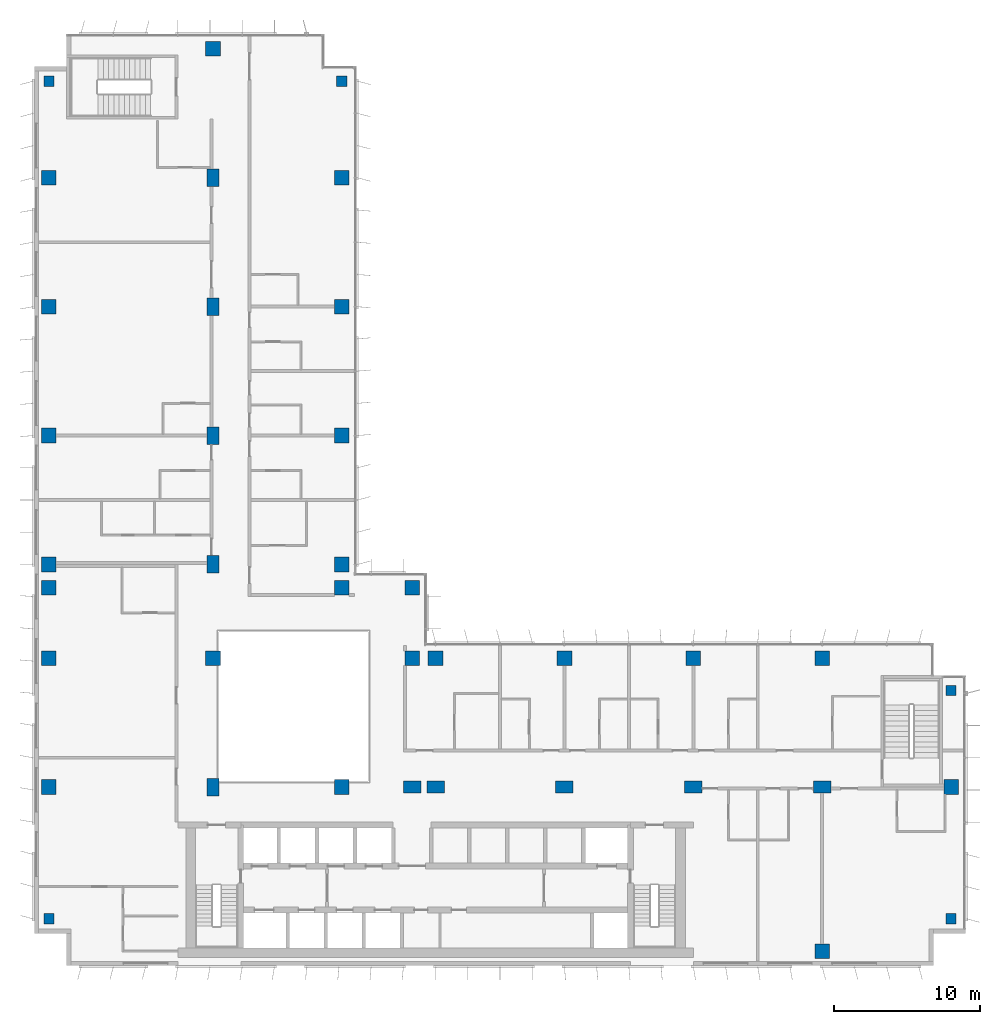
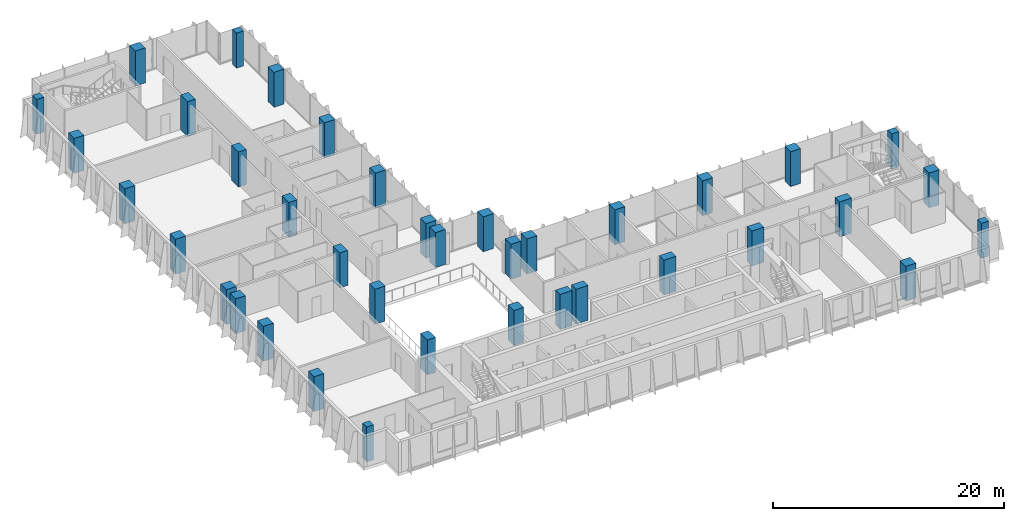
# One storey, part 1 of 21: 38 columns.
"""IFC4 building model written with IfcOpenShell, lengths in metres."""

from ifc_helpers import new_model, si_unit, direction, frame, origin, origin_2d, place, context, subcontext, project, spatial, rectangle, extrude, material, material_profile, profile_set, type_object, element, save


model = new_model("IFC4")

# Units and contexts
model_context = context("Model", 3, precision=1e-05, world=origin(), true_north=direction((0.0, 1.0)))
body_context = subcontext(model_context, "Body", "Model", "MODEL_VIEW")
ifc_project = project(units=[si_unit("LENGTHUNIT", "METRE"), si_unit("AREAUNIT", "SQUARE_METRE"), si_unit("VOLUMEUNIT", "CUBIC_METRE"), si_unit("PLANEANGLEUNIT", "RADIAN"), si_unit("MASSUNIT", "GRAM", prefix="KILO")], contexts=[model_context])

# Site, building, storey
site_placement = place(None, origin())
site = spatial("IfcSite", under=ifc_project, at=site_placement, CompositionType="ELEMENT")
building_placement = place(site_placement, origin())
building = spatial("IfcBuilding", under=site, at=building_placement, Name="Kemantara Hotel Tower", CompositionType="ELEMENT")
storey_placement = place(building_placement, frame((0.0, 0.0, 198.800048828125)))
storey = spatial("IfcBuildingStorey", under=building, at=storey_placement, Name="L49", CompositionType="ELEMENT", Elevation=198.800048828125)

# Columns
ifc_material = material(Name="Concrete fc 60 MPa", Category="concrete")
ifc_material_profile_1 = material_profile(ifc_material, rectangle(XDim=1.0, YDim=1.0, at=origin_2d()), Name="RC 1000X1000")
ifc_profile_set_1 = profile_set([ifc_material_profile_1], Name="Concrete fc 60 MPa")
column_type_1 = type_object("IfcColumnType", Name="RC COLUMN 1000X1000 FC60", PredefinedType="COLUMN", material=ifc_profile_set_1)
for number, where, z_axis, x_axis, name in (
    (1, (1.0, 12.199951171875, 0.0), (0.0, 0.0, 1.0), (1.0, 0.0, 0.0), "COLUMN 1/BA L49"),
    (2, (1.0, 21.0, 0.0), (0.0, 0.0, 1.0), (1.0, 0.0, 0.0), "COLUMN 1/C L49"),
    (3, (1.0, 25.800048828125, 0.0), (0.0, 0.0, 1.0), (1.0, 0.0, 0.0), "COLUMN 1/CA L49"),
    (4, (1.0, 27.39990234375, 0.0), (0.0, 0.0, 1.0), (1.0, 0.0, 0.0), "COLUMN 1/D L49"),
    (5, (1.0, 36.199951171875, 0.0), (0.0, 0.0, 1.0), (1.0, 0.0, 0.0), "COLUMN 1/E L49"),
    (6, (1.0, 45.0, 0.0), (0.0, 0.0, 1.0), (1.0, 0.0, 0.0), "COLUMN 1/F L49"),
    (7, (1.0, 53.800048828125, 0.0), (0.0, 0.0, 1.0), (1.0, 0.0, 0.0), "COLUMN 1/G L49"),
    (8, (12.199951171875, 21.0, 0.0), (0.0, 0.0, 1.0), (1.0, 0.0, 0.0), "COLUMN 2A/C L49"),
    (9, (12.199951171875, 62.60009765625, 0.0), (0.0, 0.0, 1.0), (1.0, 0.0, 0.0), "COLUMN 2A/H L49"),
    (10, (21.0, 12.199951171875, 0.0), (0.0, 0.0, 1.0), (1.0, 0.0, 0.0), "COLUMN 3/BA L49"),
    (11, (21.0, 25.800048828125, 0.0), (0.0, 0.0, 1.0), (1.0, 0.0, 0.0), "COLUMN 3/CA L49"),
    (12, (21.0, 27.39990234375, 0.0), (0.0, 0.0, 1.0), (1.0, 0.0, 0.0), "COLUMN 3/D L49"),
    (13, (21.0, 36.199951171875, 0.0), (0.0, 0.0, 1.0), (1.0, 0.0, 0.0), "COLUMN 3/E L49"),
    (14, (21.0, 45.0, 0.0), (0.0, 0.0, 1.0), (1.0, 0.0, 0.0), "COLUMN 3/F L49"),
    (15, (21.0, 53.800048828125, 0.0), (0.0, 0.0, 1.0), (1.0, 0.0, 0.0), "COLUMN 3/G L49"),
    (16, (25.800048828125, 21.0, 0.0), (0.0, 0.0, 1.0), (1.0, 0.0, 0.0), "COLUMN 3A/C L49"),
    (17, (25.800048828125, 25.800048828125, 0.0), (0.0, 0.0, 1.0), (1.0, 0.0, 0.0), "COLUMN 3A/CA L49"),
    (18, (27.39990234375, 21.0, 0.0), (0.0, 0.0, 1.0), (1.0, 0.0, 0.0), "COLUMN 4/C L49"),
    (19, (36.199951171875, 21.0, 0.0), (0.0, 0.0, 1.0), (1.0, 0.0, 0.0), "COLUMN 5/C L49"),
    (20, (45.0, 21.0, 0.0), (0.0, 0.0, 1.0), (1.0, 0.0, 0.0), "COLUMN 6/C L49"),
    (21, (53.800048828125, 1.0, 0.0), (0.0, 0.0, 1.0), (1.0, 0.0, 0.0), "COLUMN 7/A L49"),
    (22, (53.800048828125, 21.0, 0.0), (0.0, 0.0, 1.0), (1.0, 0.0, 0.0), "COLUMN 7/C L49"),
    (23, (62.60009765625, 12.199951171875, 0.0), (0.0, 0.0, 1.0), (1.0, 0.0, 0.0), "COLUMN 8/BA L49"),
):
    element("IfcColumn", number, at=place(storey_placement, frame(where, z_axis=z_axis, x_axis=x_axis)), inside=storey, type_object=column_type_1, Name=name, PredefinedType="COLUMN", context=body_context, shape_type="SweptSolid", body=[
        extrude(rectangle(XDim=1.0, YDim=1.0, at=origin_2d()), origin(), (0.0, 0.0, 1.0), 3.699951171875),
    ])
ifc_material_profile_2 = material_profile(ifc_material, rectangle(XDim=1.199951171875, YDim=0.800048828125, at=origin_2d()), Name="RC 1200X800")
ifc_profile_set_2 = profile_set([ifc_material_profile_2], Name="Concrete fc 60 MPa")
column_type_2 = type_object("IfcColumnType", Name="RC COLUMN 1200X800 FC60", PredefinedType="COLUMN", material=ifc_profile_set_2)
for number, where, z_axis, x_axis, name in (
    (24, (12.199951171875, 12.199951171875, 0.0), (0.0, 0.0, 1.0), (0.0, 1.0, 0.0), "COLUMN 2A/BA L49"),
    (25, (12.199951171875, 27.39990234375, 0.0), (0.0, 0.0, 1.0), (0.0, 1.0, 0.0), "COLUMN 2A/D L49"),
    (26, (12.199951171875, 36.199951171875, 0.0), (0.0, 0.0, 1.0), (0.0, 1.0, 0.0), "COLUMN 2A/E L49"),
    (27, (12.199951171875, 45.0, 0.0), (0.0, 0.0, 1.0), (0.0, 1.0, 0.0), "COLUMN 2A/F L49"),
    (28, (12.199951171875, 53.800048828125, 0.0), (0.0, 0.0, 1.0), (0.0, 1.0, 0.0), "COLUMN 2A/G L49"),
    (29, (25.800048828125, 12.199951171875, 0.0), (0.0, 0.0, 1.0), (1.0, 0.0, 0.0), "COLUMN 3A/BA L49"),
    (30, (27.39990234375, 12.199951171875, 0.0), (0.0, 0.0, 1.0), (1.0, 0.0, 0.0), "COLUMN 4/BA L49"),
    (31, (36.199951171875, 12.199951171875, 0.0), (0.0, 0.0, 1.0), (1.0, 0.0, 0.0), "COLUMN 5/BA L49"),
    (32, (45.0, 12.199951171875, 0.0), (0.0, 0.0, 1.0), (1.0, 0.0, 0.0), "COLUMN 6/BA L49"),
    (33, (53.800048828125, 12.199951171875, 0.0), (0.0, 0.0, 1.0), (1.0, 0.0, 0.0), "COLUMN 7/BA L49"),
):
    element("IfcColumn", number, at=place(storey_placement, frame(where, z_axis=z_axis, x_axis=x_axis)), inside=storey, type_object=column_type_2, Name=name, PredefinedType="COLUMN", context=body_context, shape_type="SweptSolid", body=[
        extrude(rectangle(XDim=1.199951171875, YDim=0.800048828125, at=origin_2d()), origin(), (0.0, 0.0, 1.0), 3.699951171875),
    ])
ifc_material_profile_3 = material_profile(ifc_material, rectangle(XDim=0.699951171875, YDim=0.699951171875, at=origin_2d()), Name="RC 700X700")
ifc_profile_set_3 = profile_set([ifc_material_profile_3], Name="Concrete fc 60 MPa")
column_type_3 = type_object("IfcColumnType", Name="RC COLUMN 700X700 FC60", PredefinedType="COLUMN", material=ifc_profile_set_3)
for number, where, z_axis, x_axis, name in (
    (34, (1.0, 3.199951171875, 0.0), (0.0, 0.0, 1.0), (1.0, 0.0, 0.0), "COLUMN notch corner L49"),
    (35, (1.0, 60.39990234375, 0.0), (0.0, 0.0, 1.0), (1.0, 0.0, 0.0), "COLUMN notch corner L49"),
    (36, (21.0, 60.39990234375, 0.0), (0.0, 0.0, 1.0), (1.0, 0.0, 0.0), "COLUMN notch corner L49"),
    (37, (62.60009765625, 3.199951171875, 0.0), (0.0, 0.0, 1.0), (1.0, 0.0, 0.0), "COLUMN notch corner L49"),
    (38, (62.60009765625, 18.800048828125, 0.0), (0.0, 0.0, 1.0), (1.0, 0.0, 0.0), "COLUMN notch corner L49"),
):
    element("IfcColumn", number, at=place(storey_placement, frame(where, z_axis=z_axis, x_axis=x_axis)), inside=storey, type_object=column_type_3, Name=name, PredefinedType="COLUMN", context=body_context, shape_type="SweptSolid", body=[
        extrude(rectangle(XDim=0.699951171875, YDim=0.699951171875, at=origin_2d()), origin(), (0.0, 0.0, 1.0), 3.699951171875),
    ])

save(model, "model.ifc")
